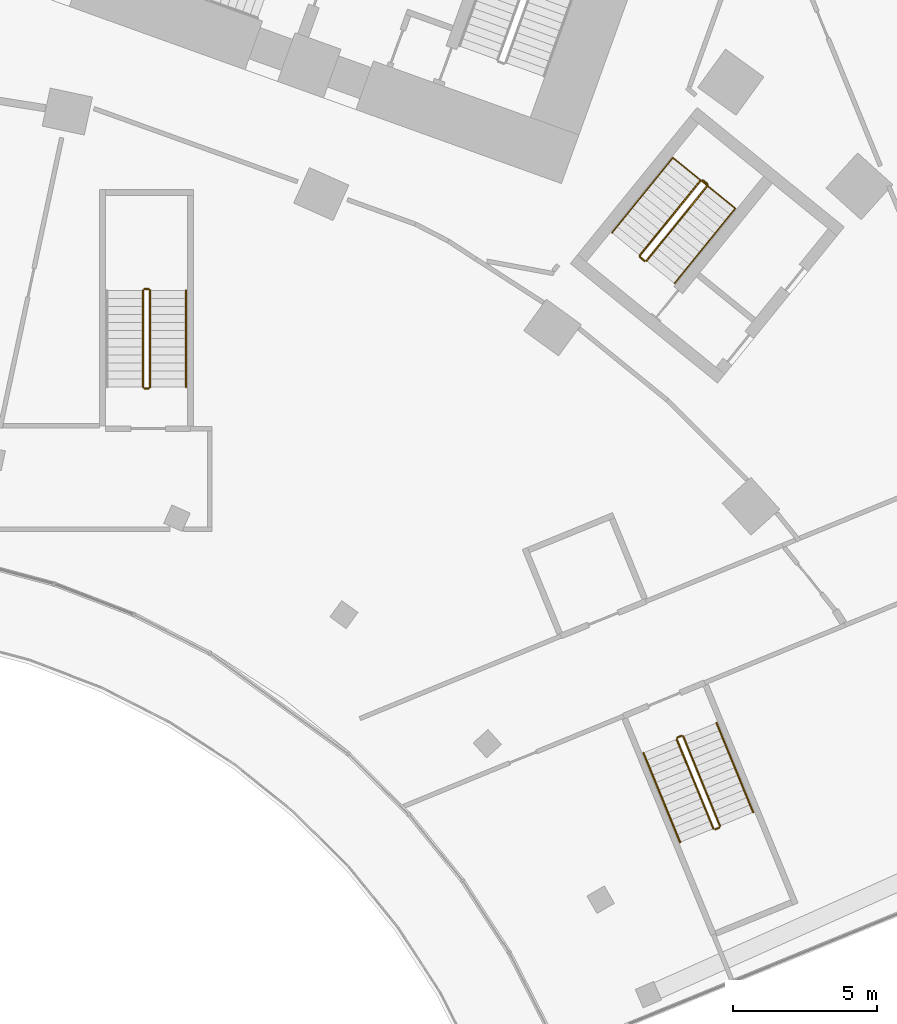
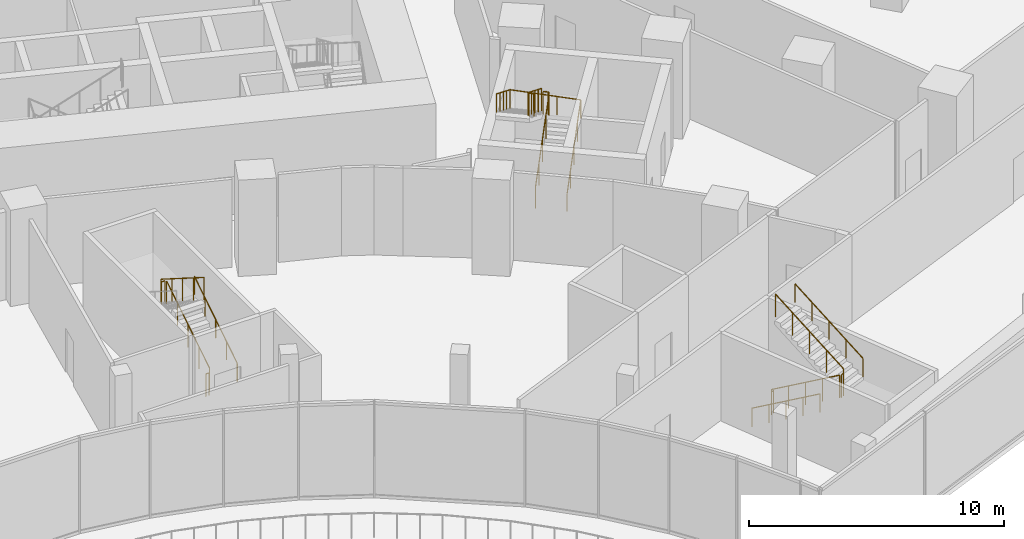
# One storey, part 36 of 39: 14 railings.
"""IFC4 building model written with IfcOpenShell, lengths in metres."""

from ifc_helpers import new_model, si_unit, direction, frame, origin, origin_2d, place, context, subcontext, project, spatial, circle, extrude, material, type_object, element, save


model = new_model("IFC4")

# Units and contexts
model_context = context("Model", 3, precision=1e-05, world=origin(), true_north=direction((0.0, 1.0)))
body_context = subcontext(model_context, "Body", "Model", "MODEL_VIEW")
ifc_project = project(units=[si_unit("LENGTHUNIT", "METRE"), si_unit("AREAUNIT", "SQUARE_METRE"), si_unit("VOLUMEUNIT", "CUBIC_METRE"), si_unit("PLANEANGLEUNIT", "RADIAN"), si_unit("MASSUNIT", "GRAM", prefix="KILO")], contexts=[model_context])

# Site, building, storey
site_placement = place(None, origin())
site = spatial("IfcSite", under=ifc_project, at=site_placement, CompositionType="ELEMENT")
building_placement = place(site_placement, origin())
building = spatial("IfcBuilding", under=site, at=building_placement, Name="Stone Belt Terrace Tower", CompositionType="ELEMENT")
storey_placement = place(building_placement, frame((0.0, 0.0, 20.800048828125)))
storey = spatial("IfcBuildingStorey", under=building, at=storey_placement, Name="L04", CompositionType="ELEMENT", Elevation=20.800048828125)

# Railings
ifc_material_1 = material(Name="Steel balustrade", Category="steel")
railing_type_1 = type_object("IfcRailingType", Name="Podium stair guard", PredefinedType="GUARDRAIL", material=ifc_material_1)
railing_1_placement = place(storey_placement, frame((30.445556640625, 21.63232421875, 0.1767578125)))
element("IfcRailing", 1, at=railing_1_placement, inside=storey, type_object=railing_type_1, Name="L04 PS3 stair guard 1", PredefinedType="GUARDRAIL", context=body_context, shape_type="SweptSolid", body=[
    extrude(circle(Radius=0.02392578125, at=origin_2d()), frame((0.0, 0.0, 1.076171875), z_axis=(0.320566755084, -0.782222193141, 0.534196027777), x_axis=(0.92531182595, 0.379207100089, 0.0)), (0.0, 0.0, 1.0), 3.974853515625),
    extrude(circle(Radius=0.02099609375, at=origin_2d()), origin(), (0.0, 0.0, 1.0), 1.052001953125),
    extrude(circle(Radius=0.02099609375, at=origin_2d()), frame((0.318603515625, -0.77734375, 0.53076171875)), (0.0, 0.0, 1.0), 1.052001953125),
    extrude(circle(Radius=0.02099609375, at=origin_2d()), frame((0.63720703125, -1.5546875, 1.0615234375)), (0.0, 0.0, 1.0), 1.052001953125),
    extrude(circle(Radius=0.02099609375, at=origin_2d()), frame((0.95556640625, -2.331787109375, 1.592529296875)), (0.0, 0.0, 1.0), 1.052001953125),
    extrude(circle(Radius=0.02099609375, at=origin_2d()), frame((1.274169921875, -3.109130859375, 2.123291015625)), (0.0, 0.0, 1.0), 1.052001953125),
])
railing_2_placement = place(storey_placement, frame((31.784912109375, 18.495849609375, 2.300048828125)))
element("IfcRailing", 2, at=railing_2_placement, inside=storey, type_object=railing_type_1, Name="L04 PS3 stair guard 2", PredefinedType="GUARDRAIL", context=body_context, shape_type="SweptSolid", body=[
    extrude(circle(Radius=0.02392578125, at=origin_2d()), frame((0.0, 0.0, 1.076171875), z_axis=(0.925417366351, 0.378949466362, 0.0), x_axis=(-0.378949466362, 0.925417366351, 0.0)), (0.0, 0.0, 1.0), 0.150146484375),
    extrude(circle(Radius=0.02099609375, at=origin_2d()), origin(), (0.0, 0.0, 1.0), 1.052001953125),
    extrude(circle(Radius=0.02099609375, at=origin_2d()), frame((0.138916015625, 0.056884765625, 0.0)), (0.0, 0.0, 1.0), 1.052001953125),
])
railing_3_placement = place(storey_placement, frame((31.951171875, 18.6181640625, 2.476806640625)))
element("IfcRailing", 3, at=railing_3_placement, inside=storey, type_object=railing_type_1, Name="L04 PS3 stair guard 3", PredefinedType="GUARDRAIL", context=body_context, shape_type="SweptSolid", body=[
    extrude(circle(Radius=0.02392578125, at=origin_2d()), frame((0.0, 0.0, 1.076171875), z_axis=(-0.320647790343, 0.782208613453, 0.534167276785), x_axis=(-0.925275877227, -0.379294807533, 0.0)), (0.0, 0.0, 1.0), 3.974609375),
    extrude(circle(Radius=0.02099609375, at=origin_2d()), origin(), (0.0, 0.0, 1.0), 1.052001953125),
    extrude(circle(Radius=0.02099609375, at=origin_2d()), frame((-0.318603515625, 0.77734375, 0.53076171875)), (0.0, 0.0, 1.0), 1.052001953125),
    extrude(circle(Radius=0.02099609375, at=origin_2d()), frame((-0.63720703125, 1.554443359375, 1.0615234375)), (0.0, 0.0, 1.0), 1.052001953125),
    extrude(circle(Radius=0.02099609375, at=origin_2d()), frame((-0.955810546875, 2.33154296875, 1.59228515625)), (0.0, 0.0, 1.0), 1.052001953125),
    extrude(circle(Radius=0.02099609375, at=origin_2d()), frame((-1.2744140625, 3.10888671875, 2.123046875)), (0.0, 0.0, 1.0), 1.052001953125),
])
railing_4_placement = place(storey_placement, frame((30.472900390625, 21.697509765625, 0.0)))
element("IfcRailing", 4, at=railing_4_placement, inside=storey, type_object=railing_type_1, Name="L04 PS3 stair guard 4", PredefinedType="GUARDRAIL", context=body_context, shape_type="SweptSolid", body=[
    extrude(circle(Radius=0.02392578125, at=origin_2d()), frame((0.0, 0.0, 1.076171875), z_axis=(0.925183283695, 0.379520607572, 0.0), x_axis=(-0.379520607572, 0.925183283695, 0.0)), (0.0, 0.0, 1.0), 0.14990234375),
    extrude(circle(Radius=0.02099609375, at=origin_2d()), origin(), (0.0, 0.0, 1.0), 1.052001953125),
    extrude(circle(Radius=0.02099609375, at=origin_2d()), frame((0.138671875, 0.056884765625, 0.0)), (0.0, 0.0, 1.0), 1.052001953125),
])
railing_5_placement = place(storey_placement, frame((12.125, 33.889892578125, 0.1767578125)))
element("IfcRailing", 5, at=railing_5_placement, inside=storey, type_object=railing_type_1, Name="L04 PS6 stair guard 1", PredefinedType="GUARDRAIL", context=body_context, shape_type="SweptSolid", body=[
    extrude(circle(Radius=0.02392578125, at=origin_2d()), frame((0.0, 0.0, 1.076171875), z_axis=(0.0, 0.845361898145, 0.534194029511), x_axis=(-1.0, 0.0, 0.0)), (0.0, 0.0, 1.0), 3.974853515625),
    extrude(circle(Radius=0.02099609375, at=origin_2d()), origin(), (0.0, 0.0, 1.0), 1.052001953125),
    extrude(circle(Radius=0.02099609375, at=origin_2d()), frame((0.0, 0.840087890625, 0.53076171875)), (0.0, 0.0, 1.0), 1.052001953125),
    extrude(circle(Radius=0.02099609375, at=origin_2d()), frame((0.0, 1.68017578125, 1.0615234375)), (0.0, 0.0, 1.0), 1.052001953125),
    extrude(circle(Radius=0.02099609375, at=origin_2d()), frame((0.0, 2.52001953125, 1.592529296875)), (0.0, 0.0, 1.0), 1.052001953125),
    extrude(circle(Radius=0.02099609375, at=origin_2d()), frame((0.0, 3.360107421875, 2.123291015625)), (0.0, 0.0, 1.0), 1.052001953125),
])
railing_6_placement = place(storey_placement, frame((12.074951171875, 37.300048828125, 2.300048828125)))
element("IfcRailing", 6, at=railing_6_placement, inside=storey, type_object=railing_type_1, Name="L04 PS6 stair guard 2", PredefinedType="GUARDRAIL", context=body_context, shape_type="SweptSolid", body=[
    extrude(circle(Radius=0.02392578125, at=origin_2d()), frame((0.0, 0.0, 1.076171875), z_axis=(-1.0, 0.0, 0.0), x_axis=(0.0, -1.0, 0.0)), (0.0, 0.0, 1.0), 0.14990234375),
    extrude(circle(Radius=0.02099609375, at=origin_2d()), origin(), (0.0, 0.0, 1.0), 1.052001953125),
    extrude(circle(Radius=0.02099609375, at=origin_2d()), frame((-0.14990234375, 0.0, 0.0)), (0.0, 0.0, 1.0), 1.052001953125),
])
railing_7_placement = place(storey_placement, frame((11.875, 37.25, 2.476806640625)))
element("IfcRailing", 7, at=railing_7_placement, inside=storey, type_object=railing_type_1, Name="L04 PS6 stair guard 3", PredefinedType="GUARDRAIL", context=body_context, shape_type="SweptSolid", body=[
    extrude(circle(Radius=0.02392578125, at=origin_2d()), frame((0.0, 0.0, 1.076171875), z_axis=(0.0, -0.845389635667, 0.534150132366), x_axis=(1.0, 0.0, 0.0)), (0.0, 0.0, 1.0), 3.974609375),
    extrude(circle(Radius=0.02099609375, at=origin_2d()), origin(), (0.0, 0.0, 1.0), 1.052001953125),
    extrude(circle(Radius=0.02099609375, at=origin_2d()), frame((0.0, -0.840087890625, 0.53076171875)), (0.0, 0.0, 1.0), 1.052001953125),
    extrude(circle(Radius=0.02099609375, at=origin_2d()), frame((0.0, -1.68017578125, 1.0615234375)), (0.0, 0.0, 1.0), 1.052001953125),
    extrude(circle(Radius=0.02099609375, at=origin_2d()), frame((0.0, -2.52001953125, 1.59228515625)), (0.0, 0.0, 1.0), 1.052001953125),
    extrude(circle(Radius=0.02099609375, at=origin_2d()), frame((0.0, -3.360107421875, 2.123046875)), (0.0, 0.0, 1.0), 1.052001953125),
])
railing_8_placement = place(storey_placement, frame((12.074951171875, 33.840087890625, 0.0)))
element("IfcRailing", 8, at=railing_8_placement, inside=storey, type_object=railing_type_1, Name="L04 PS6 stair guard 4", PredefinedType="GUARDRAIL", context=body_context, shape_type="SweptSolid", body=[
    extrude(circle(Radius=0.02392578125, at=origin_2d()), frame((0.0, 0.0, 1.076171875), z_axis=(-1.0, 0.0, 0.0), x_axis=(0.0, -1.0, 0.0)), (0.0, 0.0, 1.0), 0.14990234375),
    extrude(circle(Radius=0.02099609375, at=origin_2d()), origin(), (0.0, 0.0, 1.0), 1.052001953125),
    extrude(circle(Radius=0.02099609375, at=origin_2d()), frame((-0.14990234375, 0.0, 0.0)), (0.0, 0.0, 1.0), 1.052001953125),
])
ifc_material_2 = material(Name="Stainless steel handrail", Category="steel")
railing_type_2 = type_object("IfcRailingType", Name="Podium stair handrail", PredefinedType="HANDRAIL", material=ifc_material_2)
railing_9_placement = place(storey_placement, frame((29.288818359375, 21.158203125, 0.1767578125)))
element("IfcRailing", 9, at=railing_9_placement, inside=storey, type_object=railing_type_2, Name="L04 PS3 stair handrail 1", PredefinedType="HANDRAIL", context=body_context, shape_type="SweptSolid", body=[
    extrude(circle(Radius=0.02392578125, at=origin_2d()), frame((0.0, 0.0, 0.8759765625), z_axis=(0.320621864463, -0.782206790025, 0.534185508665), x_axis=(0.925286329636, 0.379269308261, 0.0)), (0.0, 0.0, 1.0), 3.974853515625),
    extrude(circle(Radius=0.02099609375, at=origin_2d()), origin(), (0.0, 0.0, 1.0), 0.851806640625),
    extrude(circle(Radius=0.02099609375, at=origin_2d()), frame((0.318603515625, -0.77734375, 0.53076171875)), (0.0, 0.0, 1.0), 0.851806640625),
    extrude(circle(Radius=0.02099609375, at=origin_2d()), frame((0.63720703125, -1.5546875, 1.0615234375)), (0.0, 0.0, 1.0), 0.851806640625),
    extrude(circle(Radius=0.02099609375, at=origin_2d()), frame((0.955810546875, -2.331787109375, 1.592529296875)), (0.0, 0.0, 1.0), 0.851806640625),
    extrude(circle(Radius=0.02099609375, at=origin_2d()), frame((1.2744140625, -3.109130859375, 2.123291015625)), (0.0, 0.0, 1.0), 0.851806640625),
])
railing_10_placement = place(storey_placement, frame((33.107666015625, 19.092041015625, 2.476806640625)))
element("IfcRailing", 10, at=railing_10_placement, inside=storey, type_object=railing_type_2, Name="L04 PS3 stair handrail 2", PredefinedType="HANDRAIL", context=body_context, shape_type="SweptSolid", body=[
    extrude(circle(Radius=0.02392578125, at=origin_2d()), frame((0.0, 0.0, 0.8759765625), z_axis=(-0.320577273413, 0.782247859152, 0.534152130599), x_axis=(-0.92531182595, -0.379207100089, 0.0)), (0.0, 0.0, 1.0), 3.974609375),
    extrude(circle(Radius=0.02099609375, at=origin_2d()), origin(), (0.0, 0.0, 1.0), 0.851806640625),
    extrude(circle(Radius=0.02099609375, at=origin_2d()), frame((-0.318603515625, 0.77734375, 0.53076171875)), (0.0, 0.0, 1.0), 0.851806640625),
    extrude(circle(Radius=0.02099609375, at=origin_2d()), frame((-0.63720703125, 1.5546875, 1.0615234375)), (0.0, 0.0, 1.0), 0.851806640625),
    extrude(circle(Radius=0.02099609375, at=origin_2d()), frame((-0.95556640625, 2.331787109375, 1.59228515625)), (0.0, 0.0, 1.0), 0.851806640625),
    extrude(circle(Radius=0.02099609375, at=origin_2d()), frame((-1.274169921875, 3.109130859375, 2.123046875)), (0.0, 0.0, 1.0), 0.851806640625),
])
railing_11_placement = place(storey_placement, frame((13.375, 33.889892578125, 0.1767578125)))
element("IfcRailing", 11, at=railing_11_placement, inside=storey, type_object=railing_type_2, Name="L04 PS6 stair handrail 1", PredefinedType="HANDRAIL", context=body_context, shape_type="SweptSolid", body=[
    extrude(circle(Radius=0.02392578125, at=origin_2d()), frame((0.0, 0.0, 0.8759765625), z_axis=(0.0, 0.845361898145, 0.534194029511), x_axis=(-1.0, 0.0, 0.0)), (0.0, 0.0, 1.0), 3.974853515625),
    extrude(circle(Radius=0.02099609375, at=origin_2d()), origin(), (0.0, 0.0, 1.0), 0.851806640625),
    extrude(circle(Radius=0.02099609375, at=origin_2d()), frame((0.0, 0.840087890625, 0.53076171875)), (0.0, 0.0, 1.0), 0.851806640625),
    extrude(circle(Radius=0.02099609375, at=origin_2d()), frame((0.0, 1.68017578125, 1.0615234375)), (0.0, 0.0, 1.0), 0.851806640625),
    extrude(circle(Radius=0.02099609375, at=origin_2d()), frame((0.0, 2.52001953125, 1.592529296875)), (0.0, 0.0, 1.0), 0.851806640625),
    extrude(circle(Radius=0.02099609375, at=origin_2d()), frame((0.0, 3.360107421875, 2.123291015625)), (0.0, 0.0, 1.0), 0.851806640625),
])
ifc_material_3 = material(Name="Structural steel C345", Category="steel")
railing_type_3 = type_object("IfcRailingType", Name="Stair guard 1100", PredefinedType="GUARDRAIL", material=ifc_material_3)
railing_12_placement = place(storey_placement, frame((29.39794921875, 38.281982421875, 0.1767578125)))
element("IfcRailing", 12, at=railing_12_placement, inside=storey, type_object=railing_type_3, Name="L04 ST3B stair guard 1", PredefinedType="GUARDRAIL", context=body_context, shape_type="SweptSolid", body=[
    extrude(circle(Radius=0.02392578125, at=origin_2d()), frame((0.0, 0.0, 1.076171875), z_axis=(0.532794037425, 0.656318225719, 0.534206795421), x_axis=(-0.776382860746, 0.63026157549, 0.0)), (0.0, 0.0, 1.0), 3.974609375),
    extrude(circle(Radius=0.02392578125, at=origin_2d()), frame((2.11767578125, 2.608642578125, 3.19921875), z_axis=(-0.103606084259, 0.994618408891, 0.0), x_axis=(-0.994618408891, -0.103606084259, 0.0)), (0.0, 0.0, 1.0), 0.07080078125),
    extrude(circle(Radius=0.02392578125, at=origin_2d()), frame((2.1103515625, 2.678955078125, 3.19921875), z_axis=(-0.775964699182, 0.630776335656, 0.0), x_axis=(-0.630776335656, -0.775964699182, 0.0)), (0.0, 0.0, 1.0), 0.2001953125),
    extrude(circle(Radius=0.02099609375, at=origin_2d()), origin(), (0.0, 0.0, 1.0), 1.052001953125),
    extrude(circle(Radius=0.02099609375, at=origin_2d()), frame((0.529296875, 0.652099609375, 0.53076171875)), (0.0, 0.0, 1.0), 1.052001953125),
    extrude(circle(Radius=0.02099609375, at=origin_2d()), frame((1.058837890625, 1.30419921875, 1.0615234375)), (0.0, 0.0, 1.0), 1.052001953125),
    extrude(circle(Radius=0.02099609375, at=origin_2d()), frame((1.58837890625, 1.95654296875, 1.592529296875)), (0.0, 0.0, 1.0), 1.052001953125),
    extrude(circle(Radius=0.02099609375, at=origin_2d()), frame((2.11767578125, 2.608642578125, 2.123291015625)), (0.0, 0.0, 1.0), 1.052001953125),
    extrude(circle(Radius=0.02099609375, at=origin_2d()), frame((2.1103515625, 2.678955078125, 2.123291015625)), (0.0, 0.0, 1.0), 1.052001953125),
    extrude(circle(Radius=0.02099609375, at=origin_2d()), frame((1.955078125, 2.80517578125, 2.123291015625)), (0.0, 0.0, 1.0), 1.052001953125),
])
railing_13_placement = place(storey_placement, frame((31.28271484375, 41.079833984375, 2.476806640625)))
element("IfcRailing", 13, at=railing_13_placement, inside=storey, type_object=railing_type_3, Name="L04 ST3B stair guard 2", PredefinedType="GUARDRAIL", context=body_context, shape_type="SweptSolid", body=[
    extrude(circle(Radius=0.02392578125, at=origin_2d()), frame((0.0, 0.0, 1.076171875), z_axis=(-0.532790039182, -0.656374724314, 0.534141362777), x_axis=(0.776411721411, -0.63022602204, 0.0)), (0.0, 0.0, 1.0), 3.974609375),
    extrude(circle(Radius=0.02392578125, at=origin_2d()), frame((-2.11767578125, -2.60888671875, 3.19921875), z_axis=(0.103606084259, -0.994618408891, 0.0), x_axis=(0.994618408891, 0.103606084259, 0.0)), (0.0, 0.0, 1.0), 0.07080078125),
    extrude(circle(Radius=0.02392578125, at=origin_2d()), frame((-2.1103515625, -2.67919921875, 3.19921875), z_axis=(0.776561986372, -0.630040856868, 0.0), x_axis=(0.630040856868, 0.776561986372, 0.0)), (0.0, 0.0, 1.0), 0.199951171875),
    extrude(circle(Radius=0.02099609375, at=origin_2d()), origin(), (0.0, 0.0, 1.0), 1.052001953125),
    extrude(circle(Radius=0.02099609375, at=origin_2d()), frame((-0.529296875, -0.65234375, 0.53076171875)), (0.0, 0.0, 1.0), 1.052001953125),
    extrude(circle(Radius=0.02099609375, at=origin_2d()), frame((-1.058837890625, -1.304443359375, 1.0615234375)), (0.0, 0.0, 1.0), 1.052001953125),
    extrude(circle(Radius=0.02099609375, at=origin_2d()), frame((-1.58837890625, -1.95654296875, 1.59228515625)), (0.0, 0.0, 1.0), 1.052001953125),
    extrude(circle(Radius=0.02099609375, at=origin_2d()), frame((-2.11767578125, -2.60888671875, 2.123046875)), (0.0, 0.0, 1.0), 1.052001953125),
    extrude(circle(Radius=0.02099609375, at=origin_2d()), frame((-2.1103515625, -2.67919921875, 2.123046875)), (0.0, 0.0, 1.0), 1.052001953125),
    extrude(circle(Radius=0.02099609375, at=origin_2d()), frame((-1.955078125, -2.80517578125, 2.123046875)), (0.0, 0.0, 1.0), 1.052001953125),
])
railing_type_4 = type_object("IfcRailingType", Name="Stair handrail 900", PredefinedType="HANDRAIL", material=ifc_material_3)
railing_14_placement = place(storey_placement, frame((30.36865234375, 37.494140625, 0.1767578125)))
element("IfcRailing", 14, at=railing_14_placement, inside=storey, type_object=railing_type_4, Name="L04 ST3B stair handrail 1", PredefinedType="HANDRAIL", context=body_context, shape_type="SweptSolid", body=[
    extrude(circle(Radius=0.02392578125, at=origin_2d()), frame((0.0, 0.0, 0.8759765625), z_axis=(0.532728569154, 0.656374667357, 0.534202740221), x_axis=(-0.776447273909, 0.630182220345, 0.0)), (0.0, 0.0, 1.0), 3.974609375),
    extrude(circle(Radius=0.02392578125, at=origin_2d()), frame((2.117431640625, 2.60888671875, 2.9990234375), z_axis=(-0.77492599887, 0.628904008291, 0.063003528712), x_axis=(-0.630155936441, -0.776468605784, 0.0)), (0.0, 0.0, 1.0), 2.805419921875),
    extrude(circle(Radius=0.02392578125, at=origin_2d()), frame((-0.056640625, 4.373291015625, 3.17578125), z_axis=(-0.532767529742, -0.656361242395, 0.534180380334), x_axis=(0.776418415934, -0.630217774581, 0.0)), (0.0, 0.0, 1.0), 3.974365234375),
    extrude(circle(Radius=0.02099609375, at=origin_2d()), origin(), (0.0, 0.0, 1.0), 0.851806640625),
    extrude(circle(Radius=0.02099609375, at=origin_2d()), frame((0.529296875, 0.65234375, 0.53076171875)), (0.0, 0.0, 1.0), 0.851806640625),
    extrude(circle(Radius=0.02099609375, at=origin_2d()), frame((1.05859375, 1.304443359375, 1.0615234375)), (0.0, 0.0, 1.0), 0.851806640625),
    extrude(circle(Radius=0.02099609375, at=origin_2d()), frame((1.588134765625, 1.95654296875, 1.592529296875)), (0.0, 0.0, 1.0), 0.851806640625),
    extrude(circle(Radius=0.02099609375, at=origin_2d()), frame((2.117431640625, 2.60888671875, 2.123291015625)), (0.0, 0.0, 1.0), 0.851806640625),
    extrude(circle(Radius=0.02099609375, at=origin_2d()), frame((1.392822265625, 3.197021484375, 2.18212890625)), (0.0, 0.0, 1.0), 0.851806640625),
    extrude(circle(Radius=0.02099609375, at=origin_2d()), frame((0.66796875, 3.78515625, 2.2412109375)), (0.0, 0.0, 1.0), 0.851806640625),
    extrude(circle(Radius=0.02099609375, at=origin_2d()), frame((-0.056640625, 4.373291015625, 2.300048828125)), (0.0, 0.0, 1.0), 0.851806640625),
    extrude(circle(Radius=0.02099609375, at=origin_2d()), frame((-0.5859375, 3.72119140625, 2.830810546875)), (0.0, 0.0, 1.0), 0.851806640625),
    extrude(circle(Radius=0.02099609375, at=origin_2d()), frame((-1.115234375, 3.06884765625, 3.361572265625)), (0.0, 0.0, 1.0), 0.851806640625),
    extrude(circle(Radius=0.02099609375, at=origin_2d()), frame((-1.644775390625, 2.416748046875, 3.892333984375)), (0.0, 0.0, 1.0), 0.851806640625),
    extrude(circle(Radius=0.02099609375, at=origin_2d()), frame((-2.174072265625, 1.7646484375, 4.423095703125)), (0.0, 0.0, 1.0), 0.851806640625),
])

save(model, "model.ifc")
